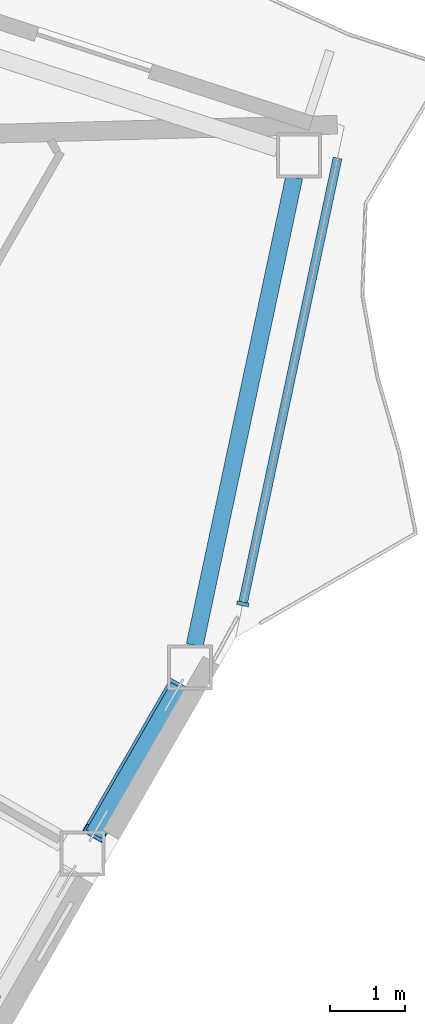
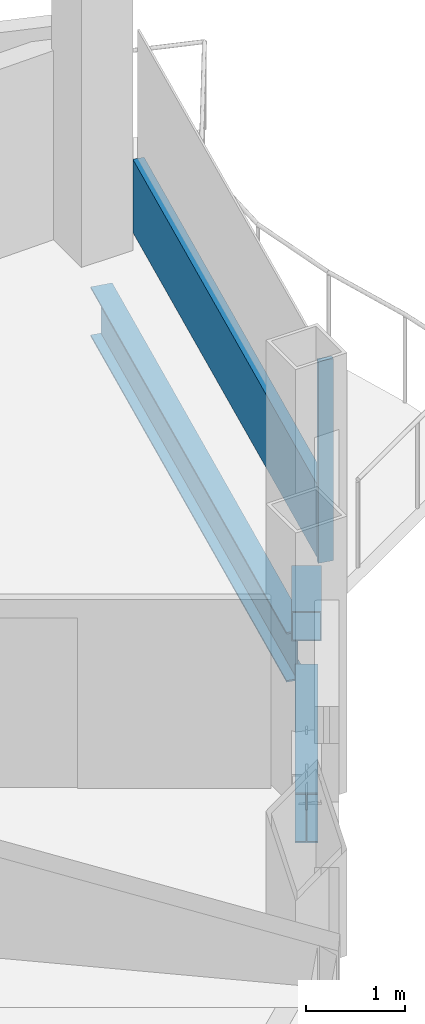
# One storey, part 8 of 28: 3 members, 2 beams, 1 element without a shape of its own.
"""IFC4 building model written with IfcOpenShell, lengths in metres."""

from ifc_helpers import new_model, si_unit, direction, frame, origin, origin_2d, place, context, subcontext, project, spatial, rectangle, hollow_rectangle, i_section, extrude, material, layer, layer_set, material_profile, profile_set, type_object, element, aggregate, save


model = new_model("IFC4")

# Units and contexts
model_context = context("Model", 3, precision=1e-05, world=origin(), true_north=direction((0.0, 1.0)))
body_context = subcontext(model_context, "Body", "Model", "MODEL_VIEW")
ifc_project = project(units=[si_unit("LENGTHUNIT", "METRE"), si_unit("AREAUNIT", "SQUARE_METRE"), si_unit("VOLUMEUNIT", "CUBIC_METRE"), si_unit("PLANEANGLEUNIT", "RADIAN"), si_unit("MASSUNIT", "GRAM", prefix="KILO")], contexts=[model_context])

# Site, building, storey
site_placement = place(None, origin())
site = spatial("IfcSite", under=ifc_project, at=site_placement, CompositionType="ELEMENT")
building_placement = place(site_placement, origin())
building = spatial("IfcBuilding", under=site, at=building_placement, Name="Cormorant Prow Tower", CompositionType="ELEMENT")
storey_placement = place(building_placement, frame((0.0, 0.0, 308.60009765625)))
storey = spatial("IfcBuildingStorey", under=building, at=storey_placement, Name="L67", CompositionType="ELEMENT", Elevation=308.60009765625)

# Member
ifc_material_1 = material(Name="Structural steel ASTM A500 Gr C", Category="steel")
ifc_material_profile_1 = material_profile(ifc_material_1, hollow_rectangle(XDim=0.3046875, YDim=0.3046875, WallThickness=0.01171875, at=origin_2d()), Name="HSS12x12x1/2")
ifc_profile_set_1 = profile_set([ifc_material_profile_1], Name="Structural steel ASTM A500 Gr C")
member_type_1 = type_object("IfcMemberType", Name="Chamfer brace HSS12x12x1/2", PredefinedType="BRACE", material=ifc_profile_set_1)
member_1_placement = place(storey_placement, frame((28.711669921875, -13.621826171875, 0.740966796875), z_axis=(-0.456247183882, -0.790292391402, 0.408994429415), x_axis=(0.866038851724, -0.499976706761, 0.0)))
element("IfcMember", 1, at=member_1_placement, inside=storey, type_object=member_type_1, Name="Chamfer brace BR3 at ESE01 L67", PredefinedType="BRACE", context=body_context, shape_type="SweptSolid", body=[
    extrude(hollow_rectangle(XDim=0.3046875, YDim=0.3046875, WallThickness=0.01171875, at=origin_2d()), origin(), (0.0, 0.0, 1.0), 2.459228515625),
])

# Curtain wall, members
ifc_material_2 = material(Name="Aluminium 6063-T6", Category="aluminium")
ifc_layer = layer(ifc_material_2, 0.159912109375)
ifc_layer_set = layer_set([ifc_layer], Name="Aluminium 6063-T6")
curtain_wall_type = type_object("IfcCurtainWallType", Name="Residential unitised curtain wall 160", PredefinedType="NOTDEFINED", material=ifc_layer_set)
curtain_wall_placement = place(storey_placement, origin())
curtain_wall = element("IfcCurtainWall", 2, at=curtain_wall_placement, inside=storey, type_object=curtain_wall_type, Name="Residential curtain wall ENE00", PredefinedType="NOTDEFINED")
ifc_material_3 = material(Name="Aluminium 6063-T6", Category="aluminium")
ifc_material_profile_2 = material_profile(ifc_material_3, rectangle(XDim=0.159912109375, YDim=0.050048828125, at=origin_2d()), Name="Residential mullion 50x160")
ifc_profile_set_2 = profile_set([ifc_material_profile_2], Name="Aluminium 6063-T6")
member_type_2 = type_object("IfcMemberType", Name="Residential mullion 50x160", PredefinedType="MULLION", material=ifc_profile_set_2)
member_2_placement = place(storey_placement, frame((29.574951171875, -12.5009765625, 0.0), z_axis=(0.0, 0.0, 1.0), x_axis=(-0.97814757141, 0.207911828776, 0.0)))
member_2 = element("IfcMember", 3, at=member_2_placement, type_object=member_type_2, Name="Residential mullion ENE00", PredefinedType="MULLION", context=body_context, shape_type="SweptSolid", body=[
    extrude(rectangle(XDim=0.159912109375, YDim=0.050048828125, at=origin_2d()), origin(), (0.0, 0.0, 1.0), 2.48779296875),
])
ifc_material_4 = material(Name="Terracotta", Category="masonry")
ifc_material_profile_3 = material_profile(ifc_material_4, rectangle(XDim=0.1201171875, YDim=0.89990234375, at=origin_2d()), Name="Residential terracotta spandrel rail 120x900")
ifc_profile_set_3 = profile_set([ifc_material_profile_3], Name="Terracotta")
member_type_3 = type_object("IfcMemberType", Name="Residential terracotta spandrel rail 120x900", PredefinedType="USERDEFINED", material=ifc_profile_set_3)
member_3_placement = place(storey_placement, frame((29.580078125, -12.4765625, 0.449951171875), z_axis=(0.207918432162, 0.978146167793, 0.0), x_axis=(-0.978146167793, 0.207918432162, 0.0)))
member_3 = element("IfcMember", 4, at=member_3_placement, type_object=member_type_3, Name="Residential spandrel rail ENE00", ObjectType="TRANSOM", PredefinedType="USERDEFINED", context=body_context, shape_type="SweptSolid", body=[
    extrude(rectangle(XDim=0.1201171875, YDim=0.89990234375, at=origin_2d()), origin(), (0.0, 0.0, 1.0), 6.067138671875),
])
aggregate(curtain_wall, [member_2, member_3])

# Beams
ifc_material_5 = material(Name="Structural steel ASTM A992 Gr 50", Category="steel")
ifc_material_profile_4 = material_profile(ifc_material_5, i_section(OverallWidth=0.22900390625, OverallDepth=0.612060546875, WebThickness=0.011962890625, FlangeThickness=0.01953125, at=origin_2d()), Name="W24x84")
ifc_profile_set_4 = profile_set([ifc_material_profile_4], Name="Structural steel ASTM A992 Gr 50")
beam_type = type_object("IfcBeamType", Name="Spandrel beam W24x84", PredefinedType="SPANDREL", material=ifc_profile_set_4)
beam_1_placement = place(storey_placement, frame((27.582275390625, -15.578125, -0.606201171875), z_axis=(0.500053962254, 0.865994246421, 0.0), x_axis=(-0.865994246421, 0.500053962254, 0.0)))
element("IfcBeam", 5, at=beam_1_placement, inside=storey, type_object=beam_type, Name="Spandrel beam SB3 ESE01-ENE00 L67", PredefinedType="SPANDREL", context=body_context, shape_type="SweptSolid", body=[
    extrude(i_section(OverallWidth=0.22900390625, OverallDepth=0.612060546875, WebThickness=0.011962890625, FlangeThickness=0.01953125, at=origin_2d()), origin(), (0.0, 0.0, 1.0), 2.273681640625),
])
beam_2_placement = place(storey_placement, frame((28.931640625, -13.055908203125, -0.606201171875), z_axis=(0.20791262393, 0.978147402394, 0.0), x_axis=(-0.978147402394, 0.20791262393, 0.0)))
element("IfcBeam", 6, at=beam_2_placement, inside=storey, type_object=beam_type, Name="Spandrel beam SB3 ENE00-ENE01 L67", PredefinedType="SPANDREL", context=body_context, shape_type="SweptSolid", body=[
    extrude(i_section(OverallWidth=0.22900390625, OverallDepth=0.612060546875, WebThickness=0.011962890625, FlangeThickness=0.01953125, at=origin_2d()), origin(), (0.0, 0.0, 1.0), 6.396240234375),
])

save(model, "model.ifc")
